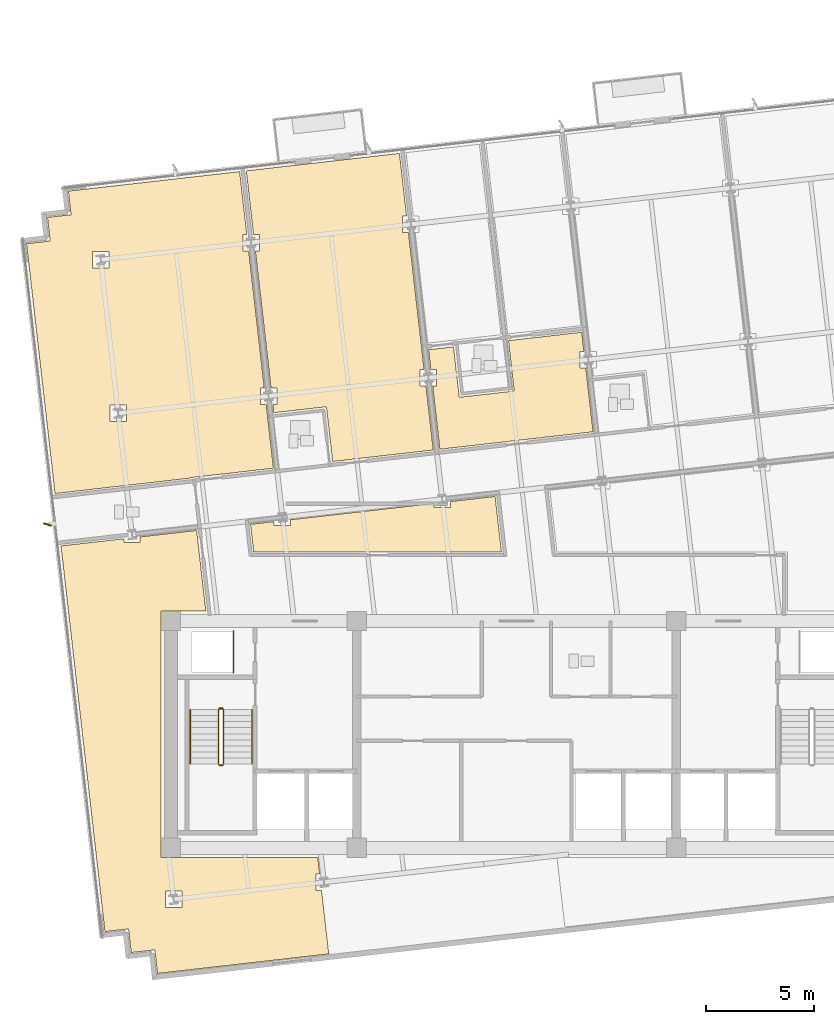
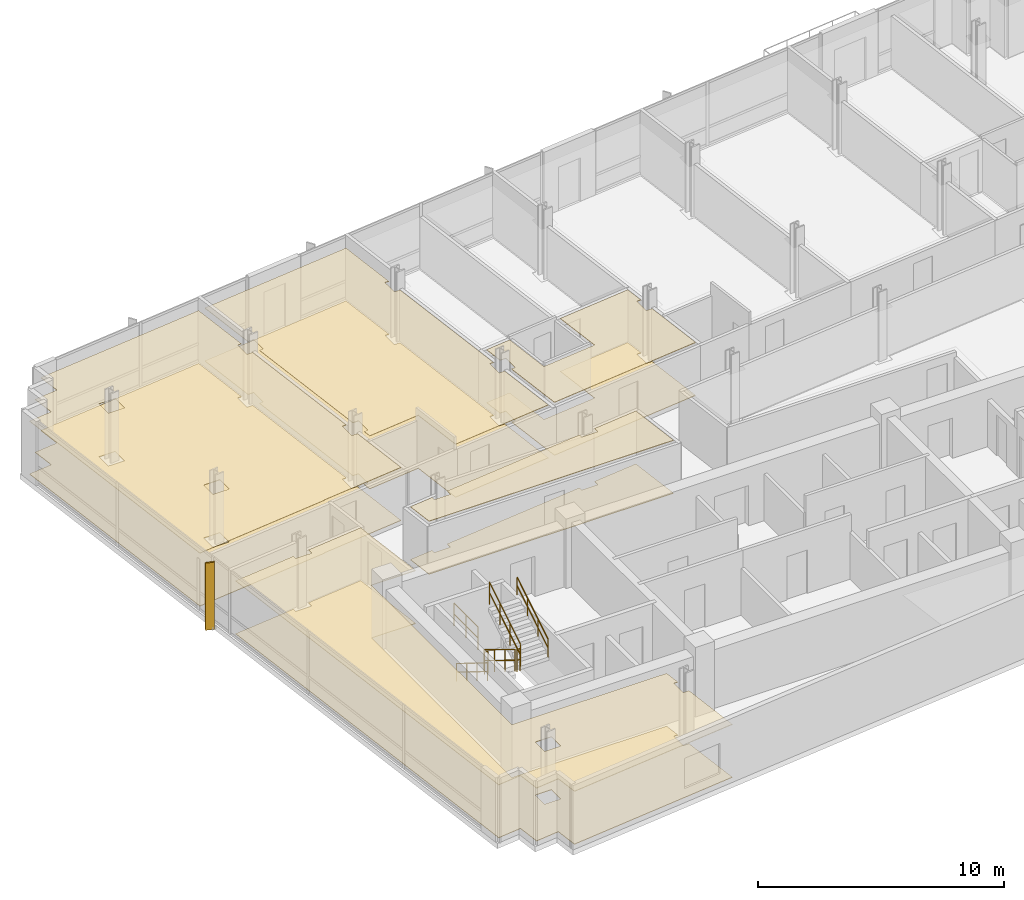
# One storey, part 13 of 16: 10 coverings, 7 railings, 1 shading device.
"""IFC4 building model written with IfcOpenShell, lengths in metres."""

import ifcopenshell
import ifcopenshell.guid

model = None  # the IFC model being written
_history = None  # IfcOwnerHistory: only IFC2X3 demands one
_inside = {}  # id of a spatial element -> (the spatial element, [elements in it])
_under = {}  # id of a project, library or spatial element -> (it, [spatial elements below it])
_declared = {}  # id of a project -> (the project, [libraries it declares])
_typed = {}  # id of a type object -> (the type object, [elements of that type])
_made_of = {}  # id of a material, layer set ... -> (it, [elements and type objects made of it])


def new_model(schema):
    """Start an empty IFC model of exactly this schema.

    Asked for "IFC4X3", IfcOpenShell would pick the latest addendum, in which some entities
    have other attributes; the version numbers below select the first issue.
    IFC2X3 requires an IfcOwnerHistory on every rooted entity: one is made here for all.
    """
    global model, _history
    if schema == "IFC4X3":
        model = ifcopenshell.file(schema_version=(4, 3, 0, 0))
    else:
        model = ifcopenshell.file(schema=schema)
    _inside.clear()
    _under.clear()
    _declared.clear()
    _typed.clear()
    _made_of.clear()
    _history = None
    if model.schema == "IFC2X3":
        org = make("IfcOrganization", Name="unknown")
        user = make(
            "IfcPersonAndOrganization",
            ThePerson=make("IfcPerson", FamilyName="unknown"),
            TheOrganization=org,
        )
        app = make(
            "IfcApplication",
            ApplicationDeveloper=org,
            Version="unknown",
            ApplicationFullName="unknown",
            ApplicationIdentifier="unknown",
        )
        _history = make(
            "IfcOwnerHistory",
            OwningUser=user,
            OwningApplication=app,
            ChangeAction="ADDED",
            CreationDate=0,
        )
    return model


def make(cls, **values):
    """One entity of the class cls with the attributes given. An attribute that is None is left unset."""
    return model.create_entity(
        cls, **{name: value for name, value in values.items() if value is not None}
    )


def rooted(cls, **values):
    """An entity with a GlobalId (a new one), such as an element, a storey or a relation."""
    return make(cls, GlobalId=ifcopenshell.guid.new(), OwnerHistory=_history, **values)


def si_unit(unit_type, name, prefix=None):
    """IfcSIUnit, for example si_unit("LENGTHUNIT", "METRE", prefix="MILLI")."""
    return make("IfcSIUnit", UnitType=unit_type, Prefix=prefix, Name=name)


def assignment(units):
    """IfcUnitAssignment: the units of a project."""
    return None if units is None else make("IfcUnitAssignment", Units=units)


def point(xyz):
    """IfcCartesianPoint."""
    return None if xyz is None else make("IfcCartesianPoint", Coordinates=xyz)


def direction(xyz):
    """IfcDirection."""
    return None if xyz is None else make("IfcDirection", DirectionRatios=xyz)


def frame(location, z_axis=None, x_axis=None):
    """IfcAxis2Placement3D, a coordinate frame: its origin and axes. An axis left out is left unset."""
    return make(
        "IfcAxis2Placement3D",
        Location=point(location),
        Axis=direction(z_axis),
        RefDirection=direction(x_axis),
    )


def frame_2d(location, x_axis=None):
    """IfcAxis2Placement2D, a coordinate frame in the plane: its origin and x axis."""
    return make(
        "IfcAxis2Placement2D", Location=point(location), RefDirection=direction(x_axis)
    )


def origin():
    """The frame at (0, 0, 0) with its axes left unset."""
    return frame((0.0, 0.0, 0.0))


def origin_2d():
    """The frame at (0, 0) in the plane with its x axis left unset."""
    return frame_2d((0.0, 0.0))


def place(relative_to, where):
    """IfcLocalPlacement: puts the frame where relative to a parent placement (None: the world)."""
    return make(
        "IfcLocalPlacement", PlacementRelTo=relative_to, RelativePlacement=where
    )


def context(
    kind, dimensions, precision=None, world=None, true_north=None, identifier=None
):
    """IfcGeometricRepresentationContext, for example the 3D "Model" context."""
    return make(
        "IfcGeometricRepresentationContext",
        ContextIdentifier=identifier,
        ContextType=kind,
        CoordinateSpaceDimension=dimensions,
        Precision=precision,
        WorldCoordinateSystem=world,
        TrueNorth=true_north,
    )


def subcontext(parent, identifier, kind, view, scale=None):
    """IfcGeometricRepresentationSubContext, for example "Body" below "Model"."""
    return make(
        "IfcGeometricRepresentationSubContext",
        ContextIdentifier=identifier,
        ContextType=kind,
        ParentContext=parent,
        TargetScale=scale,
        TargetView=view,
    )


def project(units=None, contexts=None):
    """IfcProject with its units and contexts."""
    return rooted(
        "IfcProject",
        Name="project",
        RepresentationContexts=contexts,
        UnitsInContext=assignment(units),
    )


def spatial(cls, under=None, at=None, **own):
    """A site, building, storey or space (cls), placed at a placement, below another one or the project."""
    s = rooted(cls, ObjectPlacement=at, **own)
    if under is not None:
        _under.setdefault(under.id(), (under, []))[1].append(s)
    return s


def polyline(points):
    """IfcPolyline through the points."""
    return make("IfcPolyline", Points=[point(p) for p in points])


def profile(cls, at=None, kind="AREA", **sizes):
    """A parametric profile (cls). Its sizes go by their IFC names, for example OverallWidth=200.0."""
    return make(cls, ProfileType=kind, Position=at, **sizes)


def rectangle(**sizes):
    """IfcRectangleProfileDef."""
    return profile("IfcRectangleProfileDef", **sizes)


def circle(**sizes):
    """IfcCircleProfileDef."""
    return profile("IfcCircleProfileDef", **sizes)


def outline(outer, holes=None, kind="AREA"):
    """IfcArbitraryClosedProfileDef: a profile drawn as a closed curve; with holes, ...WithVoids."""
    if holes is None:
        return make("IfcArbitraryClosedProfileDef", ProfileType=kind, OuterCurve=outer)
    return make(
        "IfcArbitraryProfileDefWithVoids",
        ProfileType=kind,
        OuterCurve=outer,
        InnerCurves=holes,
    )


def extrude(swept, where, along, depth):
    """IfcExtrudedAreaSolid: the profile swept, set in the frame where, extruded along a direction by depth."""
    return make(
        "IfcExtrudedAreaSolid",
        SweptArea=swept,
        Position=where,
        ExtrudedDirection=direction(along),
        Depth=depth,
    )


def shape(context_of_items, identifier, shape_type, items):
    """IfcShapeRepresentation: the items that make up one representation, for example the "Body"."""
    return make(
        "IfcShapeRepresentation",
        ContextOfItems=context_of_items,
        RepresentationIdentifier=identifier,
        RepresentationType=shape_type,
        Items=items,
    )


def material(Name=None, Category=None):
    """IfcMaterial."""
    return make("IfcMaterial", Name=Name, Category=Category)


def layer(
    of_material, thickness, ventilated=None, Name=None, Category=None, Priority=None
):
    """IfcMaterialLayer: one layer of a wall or slab, of a material (None: an air gap)."""
    return make(
        "IfcMaterialLayer",
        Material=of_material,
        LayerThickness=thickness,
        IsVentilated=ventilated,
        Name=Name,
        Category=Category,
        Priority=Priority,
    )


def layer_set(layers, Name=None):
    """IfcMaterialLayerSet."""
    return make("IfcMaterialLayerSet", MaterialLayers=layers, LayerSetName=Name)


def made_of(thing, what):
    """Note that an element or type object is made of a material, layer set ...; save() writes the relation."""
    if what is not None:
        _made_of.setdefault(what.id(), (what, []))[1].append(thing)
    return thing


def type_object(cls, material=None, **own):
    """A type object (cls), such as IfcWallType, which elements share."""
    return made_of(rooted(cls, **own), material)


def element(
    cls,
    number,
    at=None,
    inside=None,
    cuts=None,
    type_object=None,
    material=None,
    context=None,
    identifier="Body",
    shape_type=None,
    held_by="IfcProductDefinitionShape",
    body=None,
    shapes=None,
    **own,
):
    """One element of the class cls, such as IfcWall. Its Tag is "e" and its number.

    at: its placement. inside: the storey or other place that contains it. cuts: it is an
    opening in that element (IfcRelVoidsElement). A single representation is given by context,
    identifier, shape_type and body (its items); several are given by shapes. held_by: the class
    of the entity that holds the representations. save() writes the other relations.
    """
    e = rooted(cls, Tag="e%d" % number, ObjectPlacement=at, **own)
    if body is not None:
        shapes = [shape(context, identifier, shape_type, body)]
    if shapes is not None:
        e.Representation = make(held_by, Representations=shapes)
    if inside is not None:
        _inside.setdefault(inside.id(), (inside, []))[1].append(e)
    if cuts is not None:
        rooted(
            "IfcRelVoidsElement", RelatingBuildingElement=cuts, RelatedOpeningElement=e
        )
    if type_object is not None:
        _typed.setdefault(type_object.id(), (type_object, []))[1].append(e)
    return made_of(e, material)


def aggregate(whole, parts):
    """IfcRelAggregates: a whole, such as a stair, and the parts it consists of."""
    return rooted("IfcRelAggregates", RelatingObject=whole, RelatedObjects=parts)


def save(model, path):
    """Write the relations noted so far, then the file.

    IfcRelAggregates (storeys below a building ...), IfcRelContainedInSpatialStructure (elements
    in a storey), IfcRelDefinesByType, IfcRelAssociatesMaterial and IfcRelDeclares: one each for
    every whole, place, type object, material and project.
    """
    for whole, parts in _under.values():
        aggregate(whole, parts)
    for where, things in _inside.values():
        rooted(
            "IfcRelContainedInSpatialStructure",
            RelatedElements=things,
            RelatingStructure=where,
        )
    for kind, things in _typed.values():
        rooted("IfcRelDefinesByType", RelatedObjects=things, RelatingType=kind)
    for what, things in _made_of.values():
        rooted("IfcRelAssociatesMaterial", RelatedObjects=things, RelatingMaterial=what)
    for by, libraries in _declared.values():
        rooted("IfcRelDeclares", RelatingContext=by, RelatedDefinitions=libraries)
    model.write(path)


model = new_model("IFC4")

# Units and contexts
model_context = context("Model", 3, precision=1e-05, world=origin(), true_north=direction((0.0, 1.0)))
body_context = subcontext(model_context, "Body", "Model", "MODEL_VIEW")
ifc_project = project(units=[si_unit("LENGTHUNIT", "METRE"), si_unit("AREAUNIT", "SQUARE_METRE"), si_unit("VOLUMEUNIT", "CUBIC_METRE"), si_unit("PLANEANGLEUNIT", "RADIAN"), si_unit("MASSUNIT", "GRAM", prefix="KILO")], contexts=[model_context])

# Site, building, storey
site_placement = place(None, origin())
site = spatial("IfcSite", under=ifc_project, at=site_placement, CompositionType="ELEMENT")
building_placement = place(site_placement, origin())
building = spatial("IfcBuilding", under=site, at=building_placement, Name="Solmavex Isthmus Hotel", CompositionType="ELEMENT")
storey_placement = place(building_placement, frame((0.0, 0.0, 215.85009765625)))
storey = spatial("IfcBuildingStorey", under=building, at=storey_placement, Name="L58", CompositionType="ELEMENT", Elevation=215.85009765625)

# Coverings
ifc_material_1 = material(Name="Gypsum plasterboard lining", Category="gypsum")
ifc_layer_1 = layer(ifc_material_1, 0.030029296875)
ifc_layer_set_1 = layer_set([ifc_layer_1], Name="Gypsum plasterboard lining")
covering_type_1 = type_object("IfcCoveringType", Name="COV-CEIL-GYP", PredefinedType="CEILING", material=ifc_layer_set_1)
covering_1_placement = place(storey_placement, frame((0.0, 0.0, 2.619873046875)))
element("IfcCovering", 1, at=covering_1_placement, inside=storey, type_object=covering_type_1, Name="Suspended Acoustic Ceiling L58-RM01", PredefinedType="CEILING", context=body_context, shape_type="SweptSolid", body=[
    extrude(outline(polyline([(-15.079833984375, 4.11669921875), (-15.08203125, 4.136474609375), (-11.2490234375, 4.5732421875), (-11.586181640625, 7.532470703125), (-11.853271484375, 7.532470703125), (-11.853271484375, 8.29248046875), (-11.672607421875, 8.29248046875), (-12.395751953125, 14.638427734375), (-12.6630859375, 14.638427734375), (-12.6630859375, 15.3984375), (-12.482421875, 15.3984375), (-12.8134765625, 18.304443359375), (-19.92041015625, 17.49462890625), (-20.740234375, 17.4013671875), (-20.615478515625, 16.308349609375), (-21.70849609375, 16.183837890625), (-21.583984375, 15.091064453125), (-22.677001953125, 14.966552734375), (-22.58349609375, 14.146728515625), (-21.359130859375, 3.4013671875), (-15.079833984375, 4.11669921875)]), holes=[polyline([(-18.81640625, 6.739013671875), (-18.81640625, 7.4990234375), (-18.056396484375, 7.4990234375), (-18.056396484375, 6.739013671875), (-18.81640625, 6.739013671875)]), polyline([(-19.6259765625, 13.844970703125), (-19.6259765625, 14.60498046875), (-18.865966796875, 14.60498046875), (-18.865966796875, 13.844970703125), (-19.6259765625, 13.844970703125)])]), origin(), (0.0, 0.0, 1.0), 0.030029296875),
])
covering_2_placement = place(storey_placement, frame((0.0, 0.0, 2.619873046875)))
element("IfcCovering", 2, at=covering_2_placement, inside=storey, type_object=covering_type_1, Name="Suspended Acoustic Ceiling L58-RM02", PredefinedType="CEILING", context=body_context, shape_type="SweptSolid", body=[
    extrude(outline(polyline([(-11.360595703125, 8.29248046875), (-11.09326171875, 8.29248046875), (-11.09326171875, 7.532470703125), (-11.274169921875, 7.532470703125), (-11.2294921875, 7.14208984375), (-8.79541015625, 7.41943359375), (-8.506591796875, 4.8857421875), (-3.850830078125, 5.416259765625), (-4.18798828125, 8.375244140625), (-4.455322265625, 8.375244140625), (-4.455322265625, 9.13525390625), (-4.2744140625, 9.13525390625), (-4.99755859375, 15.481201171875), (-5.264892578125, 15.481201171875), (-5.264892578125, 16.2412109375), (-5.084228515625, 16.2412109375), (-5.415283203125, 19.1474609375), (-12.50537109375, 18.339599609375), (-12.17041015625, 15.3984375), (-11.903076171875, 15.3984375), (-11.903076171875, 14.638427734375), (-12.083740234375, 14.638427734375), (-11.763916015625, 11.832275390625), (-11.360595703125, 8.29248046875)])), origin(), (0.0, 0.0, 1.0), 0.030029296875),
])
covering_3_placement = place(storey_placement, frame((0.0, 0.0, 2.619873046875)))
element("IfcCovering", 3, at=covering_3_placement, inside=storey, type_object=covering_type_1, Name="Suspended Acoustic Ceiling L58-SH03-LV", PredefinedType="CEILING", context=body_context, shape_type="SweptSolid", body=[
    extrude(outline(polyline([(-2.912353515625, 10.191162109375), (-4.06787109375, 10.0595703125), (-3.962646484375, 9.13525390625), (-3.6953125, 9.13525390625), (-3.6953125, 8.375244140625), (-3.8759765625, 8.375244140625), (-3.542724609375, 5.451416015625), (3.54736328125, 6.259033203125), (3.210205078125, 9.21826171875), (2.94287109375, 9.21826171875), (2.94287109375, 9.978271484375), (3.12353515625, 9.978271484375), (3.022216796875, 10.867431640625), (-0.36865234375, 10.48095703125), (-0.102783203125, 8.14599609375), (-2.646240234375, 7.856201171875), (-2.912353515625, 10.191162109375)])), origin(), (0.0, 0.0, 1.0), 0.030029296875),
])
covering_4_placement = place(storey_placement, frame((0.0, 0.0, 2.619873046875)))
element("IfcCovering", 4, at=covering_4_placement, inside=storey, type_object=covering_type_1, Name="Suspended Acoustic Ceiling L58-FL09", PredefinedType="CEILING", context=body_context, shape_type="SweptSolid", body=[
    extrude(outline(polyline([(-10.4541015625, 2.18798828125), (-10.4541015625, 1.920654296875), (-11.214111328125, 1.920654296875), (-11.214111328125, 2.101318359375), (-12.309814453125, 1.9765625), (-12.1650390625, 0.705078125), (-0.694091796875, 0.705078125), (-0.986083984375, 3.2666015625), (-3.055908203125, 3.03076171875), (-3.055908203125, 2.763671875), (-3.81591796875, 2.763671875), (-3.81591796875, 2.9443359375), (-10.4541015625, 2.18798828125)])), origin(), (0.0, 0.0, 1.0), 0.030029296875),
])
covering_5_placement = place(storey_placement, frame((0.0, 0.0, 2.619873046875)))
element("IfcCovering", 5, at=covering_5_placement, inside=storey, type_object=covering_type_1, Name="Suspended Acoustic Ceiling L58-FL11", PredefinedType="CEILING", context=body_context, shape_type="SweptSolid", body=[
    extrude(outline(polyline([(-17.4169921875, 1.39453125), (-17.4169921875, 1.12744140625), (-18.177001953125, 1.12744140625), (-18.177001953125, 1.30810546875), (-21.0830078125, 0.97705078125), (-20.50048828125, -4.135009765625), (-19.91748046875, -9.251953125), (-19.14208984375, -16.057861328125), (-19.096923828125, -16.455322265625), (-19.048828125, -16.87744140625), (-17.955810546875, -16.7529296875), (-17.831298828125, -17.845947265625), (-16.73828125, -17.721435546875), (-16.61376953125, -18.814453125), (-15.794189453125, -18.720947265625), (-8.687255859375, -17.9111328125), (-8.984375, -15.302978515625), (-9.022216796875, -14.969970703125), (-9.28955078125, -14.969970703125), (-9.28955078125, -14.2099609375), (-9.10888671875, -14.2099609375), (-9.19482421875, -13.455078125), (-16.455078125, -13.455078125), (-16.455078125, -2.044921875), (-14.3779296875, -2.044921875), (-14.8037109375, 1.6923828125), (-17.4169921875, 1.39453125)]), holes=[polyline([(-16.25244140625, -15.763427734375), (-16.25244140625, -15.00341796875), (-15.492431640625, -15.00341796875), (-15.492431640625, -15.763427734375), (-16.25244140625, -15.763427734375)])]), origin(), (0.0, 0.0, 1.0), 0.030029296875),
])
ifc_material_2 = material(Name="Travertine natural stone", Category="masonry")
ifc_layer_2 = layer(ifc_material_2, 0.02490234375)
ifc_layer_set_2 = layer_set([ifc_layer_2], Name="Travertine natural stone")
covering_type_2 = type_object("IfcCoveringType", Name="COV-FLOR-STN", PredefinedType="FLOORING", material=ifc_layer_set_2)
covering_6_placement = place(storey_placement, origin())
element("IfcCovering", 6, at=covering_6_placement, inside=storey, type_object=covering_type_2, Name="Stone and Timber Floor Finish L58-RM01", PredefinedType="FLOORING", context=body_context, shape_type="SweptSolid", body=[
    extrude(outline(polyline([(-15.079833984375, 4.11669921875), (-15.08203125, 4.136474609375), (-11.2490234375, 4.5732421875), (-11.586181640625, 7.532470703125), (-11.853271484375, 7.532470703125), (-11.853271484375, 8.29248046875), (-11.672607421875, 8.29248046875), (-12.395751953125, 14.638427734375), (-12.6630859375, 14.638427734375), (-12.6630859375, 15.3984375), (-12.482421875, 15.3984375), (-12.8134765625, 18.304443359375), (-19.92041015625, 17.49462890625), (-20.740234375, 17.4013671875), (-20.615478515625, 16.308349609375), (-21.70849609375, 16.183837890625), (-21.583984375, 15.091064453125), (-22.677001953125, 14.966552734375), (-22.58349609375, 14.146728515625), (-21.359130859375, 3.4013671875), (-15.079833984375, 4.11669921875)]), holes=[polyline([(-18.81640625, 6.739013671875), (-18.81640625, 7.4990234375), (-18.056396484375, 7.4990234375), (-18.056396484375, 6.739013671875), (-18.81640625, 6.739013671875)]), polyline([(-19.6259765625, 13.844970703125), (-19.6259765625, 14.60498046875), (-18.865966796875, 14.60498046875), (-18.865966796875, 13.844970703125), (-19.6259765625, 13.844970703125)])]), origin(), (0.0, 0.0, 1.0), 0.02490234375),
])
covering_7_placement = place(storey_placement, origin())
element("IfcCovering", 7, at=covering_7_placement, inside=storey, type_object=covering_type_2, Name="Stone and Timber Floor Finish L58-RM02", PredefinedType="FLOORING", context=body_context, shape_type="SweptSolid", body=[
    extrude(outline(polyline([(-11.360595703125, 8.29248046875), (-11.09326171875, 8.29248046875), (-11.09326171875, 7.532470703125), (-11.274169921875, 7.532470703125), (-11.2294921875, 7.14208984375), (-8.79541015625, 7.41943359375), (-8.506591796875, 4.8857421875), (-3.850830078125, 5.416259765625), (-4.18798828125, 8.375244140625), (-4.455322265625, 8.375244140625), (-4.455322265625, 9.13525390625), (-4.2744140625, 9.13525390625), (-4.99755859375, 15.481201171875), (-5.264892578125, 15.481201171875), (-5.264892578125, 16.2412109375), (-5.084228515625, 16.2412109375), (-5.415283203125, 19.1474609375), (-12.50537109375, 18.339599609375), (-12.17041015625, 15.3984375), (-11.903076171875, 15.3984375), (-11.903076171875, 14.638427734375), (-12.083740234375, 14.638427734375), (-11.763916015625, 11.832275390625), (-11.360595703125, 8.29248046875)])), origin(), (0.0, 0.0, 1.0), 0.02490234375),
])
covering_8_placement = place(storey_placement, origin())
element("IfcCovering", 8, at=covering_8_placement, inside=storey, type_object=covering_type_2, Name="Stone and Timber Floor Finish L58-SH03-LV", PredefinedType="FLOORING", context=body_context, shape_type="SweptSolid", body=[
    extrude(outline(polyline([(-2.912353515625, 10.191162109375), (-4.06787109375, 10.0595703125), (-3.962646484375, 9.13525390625), (-3.6953125, 9.13525390625), (-3.6953125, 8.375244140625), (-3.8759765625, 8.375244140625), (-3.542724609375, 5.451416015625), (3.54736328125, 6.259033203125), (3.210205078125, 9.21826171875), (2.94287109375, 9.21826171875), (2.94287109375, 9.978271484375), (3.12353515625, 9.978271484375), (3.022216796875, 10.867431640625), (-0.36865234375, 10.48095703125), (-0.102783203125, 8.14599609375), (-2.646240234375, 7.856201171875), (-2.912353515625, 10.191162109375)])), origin(), (0.0, 0.0, 1.0), 0.02490234375),
])
covering_9_placement = place(storey_placement, origin())
element("IfcCovering", 9, at=covering_9_placement, inside=storey, type_object=covering_type_2, Name="Stone and Timber Floor Finish L58-FL09", PredefinedType="FLOORING", context=body_context, shape_type="SweptSolid", body=[
    extrude(outline(polyline([(-10.4541015625, 2.18798828125), (-10.4541015625, 1.920654296875), (-11.214111328125, 1.920654296875), (-11.214111328125, 2.101318359375), (-12.309814453125, 1.9765625), (-12.1650390625, 0.705078125), (-0.694091796875, 0.705078125), (-0.986083984375, 3.2666015625), (-3.055908203125, 3.03076171875), (-3.055908203125, 2.763671875), (-3.81591796875, 2.763671875), (-3.81591796875, 2.9443359375), (-10.4541015625, 2.18798828125)])), origin(), (0.0, 0.0, 1.0), 0.02490234375),
])
covering_10_placement = place(storey_placement, origin())
element("IfcCovering", 10, at=covering_10_placement, inside=storey, type_object=covering_type_2, Name="Stone and Timber Floor Finish L58-FL11", PredefinedType="FLOORING", context=body_context, shape_type="SweptSolid", body=[
    extrude(outline(polyline([(-17.4169921875, 1.39453125), (-17.4169921875, 1.12744140625), (-18.177001953125, 1.12744140625), (-18.177001953125, 1.30810546875), (-21.0830078125, 0.97705078125), (-20.50048828125, -4.135009765625), (-19.91748046875, -9.251953125), (-19.14208984375, -16.057861328125), (-19.096923828125, -16.455322265625), (-19.048828125, -16.87744140625), (-17.955810546875, -16.7529296875), (-17.831298828125, -17.845947265625), (-16.73828125, -17.721435546875), (-16.61376953125, -18.814453125), (-15.794189453125, -18.720947265625), (-8.687255859375, -17.9111328125), (-8.984375, -15.302978515625), (-9.022216796875, -14.969970703125), (-9.28955078125, -14.969970703125), (-9.28955078125, -14.2099609375), (-9.10888671875, -14.2099609375), (-9.19482421875, -13.455078125), (-16.455078125, -13.455078125), (-16.455078125, -2.044921875), (-14.3779296875, -2.044921875), (-14.8037109375, 1.6923828125), (-17.4169921875, 1.39453125)]), holes=[polyline([(-16.25244140625, -15.763427734375), (-16.25244140625, -15.00341796875), (-15.492431640625, -15.00341796875), (-15.492431640625, -15.763427734375), (-16.25244140625, -15.763427734375)])]), origin(), (0.0, 0.0, 1.0), 0.02490234375),
])

# Railings
ifc_material_3 = material(Name="Clear low-E laminated glass", Category="glass")
ifc_layer_3 = layer(ifc_material_3, 0.080078125)
ifc_layer_set_3 = layer_set([ifc_layer_3], Name="Clear low-E laminated glass")
railing_type_1 = type_object("IfcRailingType", Name="RAIL-ATRIUM-1120", PredefinedType="BALUSTRADE", material=ifc_layer_set_3)
railing_1_placement = place(storey_placement, frame((-13.10009765625, -4.89990234375, 0.0)))
element("IfcRailing", 11, at=railing_1_placement, inside=storey, type_object=railing_type_1, Name="Guardrail Balustrade L58-RSW-01", PredefinedType="BALUSTRADE", context=body_context, shape_type="SweptSolid", body=[
    extrude(circle(Radius=0.02392578125, at=origin_2d()), frame((0.0, 0.0, 1.1259765625), z_axis=(0.0, 1.0, 0.0), x_axis=(-1.0, 0.0, 0.0)), (0.0, 0.0, 1.0), 1.949951171875),
    extrude(circle(Radius=0.02392578125, at=origin_2d()), frame((0.0, 0.0, 0.574951171875), z_axis=(0.0, 1.0, 0.0), x_axis=(-1.0, 0.0, 0.0)), (0.0, 0.0, 1.0), 1.949951171875),
    extrude(circle(Radius=0.02099609375, at=origin_2d()), origin(), (0.0, 0.0, 1.0), 1.101806640625),
    extrude(circle(Radius=0.02099609375, at=origin_2d()), frame((0.0, 0.97509765625, 0.0)), (0.0, 0.0, 1.0), 1.101806640625),
    extrude(circle(Radius=0.02099609375, at=origin_2d()), frame((0.0, 1.949951171875, 0.0)), (0.0, 0.0, 1.0), 1.101806640625),
])
ifc_material_4 = material(Name="Stainless steel 316", Category="steel")
ifc_layer_4 = layer(ifc_material_4, 0.06005859375)
ifc_layer_set_4 = layer_set([ifc_layer_4], Name="Stainless steel 316")
railing_type_2 = type_object("IfcRailingType", Name="RAIL-STAIR-GD", PredefinedType="GUARDRAIL", material=ifc_layer_set_4)
railing_2_placement = place(storey_placement, frame((-13.800048828125, -6.60009765625, 0.17236328125)))
element("IfcRailing", 12, at=railing_2_placement, inside=storey, type_object=railing_type_2, Name="L58 ST-1 stair guard 1", PredefinedType="GUARDRAIL", context=body_context, shape_type="SweptSolid", body=[
    extrude(circle(Radius=0.02392578125, at=origin_2d()), frame((0.0, 0.0, 1.09619140625), z_axis=(0.0, -0.851400495292, 0.524516154772), x_axis=(1.0, 0.0, 0.0)), (0.0, 0.0, 1.0), 2.9599609375),
    extrude(circle(Radius=0.02392578125, at=origin_2d()), frame((0.0, 0.0, 0.56005859375), z_axis=(0.0, -0.851400495292, 0.524516154772), x_axis=(1.0, 0.0, 0.0)), (0.0, 0.0, 1.0), 2.9599609375),
    extrude(circle(Radius=0.02099609375, at=origin_2d()), origin(), (0.0, 0.0, 1.0), 1.072021484375),
    extrude(circle(Radius=0.02099609375, at=origin_2d()), frame((0.0, -0.840087890625, 0.517578125)), (0.0, 0.0, 1.0), 1.072021484375),
    extrude(circle(Radius=0.02099609375, at=origin_2d()), frame((0.0, -1.679931640625, 1.034912109375)), (0.0, 0.0, 1.0), 1.072021484375),
    extrude(circle(Radius=0.02099609375, at=origin_2d()), frame((0.0, -2.52001953125, 1.552490234375)), (0.0, 0.0, 1.0), 1.072021484375),
])
railing_3_placement = place(storey_placement, frame((-13.75, -9.169921875, 1.724853515625)))
element("IfcRailing", 13, at=railing_3_placement, inside=storey, type_object=railing_type_2, Name="L58 ST-1 stair guard 2", PredefinedType="GUARDRAIL", context=body_context, shape_type="SweptSolid", body=[
    extrude(circle(Radius=0.02392578125, at=origin_2d()), frame((0.0, 0.0, 1.09619140625), z_axis=(1.0, 0.0, 0.0), x_axis=(0.0, 1.0, 0.0)), (0.0, 0.0, 1.0), 0.14990234375),
    extrude(circle(Radius=0.02392578125, at=origin_2d()), frame((0.0, 0.0, 0.56005859375), z_axis=(1.0, 0.0, 0.0), x_axis=(0.0, 1.0, 0.0)), (0.0, 0.0, 1.0), 0.14990234375),
    extrude(circle(Radius=0.02099609375, at=origin_2d()), origin(), (0.0, 0.0, 1.0), 1.072021484375),
    extrude(circle(Radius=0.02099609375, at=origin_2d()), frame((0.14990234375, 0.0, 0.0)), (0.0, 0.0, 1.0), 1.072021484375),
])
railing_4_placement = place(storey_placement, frame((-13.550048828125, -9.1201171875, 1.8974609375)))
element("IfcRailing", 14, at=railing_4_placement, inside=storey, type_object=railing_type_2, Name="L58 ST-1 stair guard 3", PredefinedType="GUARDRAIL", context=body_context, shape_type="SweptSolid", body=[
    extrude(circle(Radius=0.02392578125, at=origin_2d()), frame((0.0, 0.0, 1.09619140625), z_axis=(0.0, 0.851400495292, 0.524516154772), x_axis=(-1.0, 0.0, 0.0)), (0.0, 0.0, 1.0), 2.9599609375),
    extrude(circle(Radius=0.02392578125, at=origin_2d()), frame((0.0, 0.0, 0.56005859375), z_axis=(0.0, 0.851400495292, 0.524516154772), x_axis=(-1.0, 0.0, 0.0)), (0.0, 0.0, 1.0), 2.9599609375),
    extrude(circle(Radius=0.02099609375, at=origin_2d()), origin(), (0.0, 0.0, 1.0), 1.072021484375),
    extrude(circle(Radius=0.02099609375, at=origin_2d()), frame((0.0, 0.840087890625, 0.517578125)), (0.0, 0.0, 1.0), 1.072021484375),
    extrude(circle(Radius=0.02099609375, at=origin_2d()), frame((0.0, 1.679931640625, 1.034912109375)), (0.0, 0.0, 1.0), 1.072021484375),
    extrude(circle(Radius=0.02099609375, at=origin_2d()), frame((0.0, 2.52001953125, 1.552490234375)), (0.0, 0.0, 1.0), 1.072021484375),
])
railing_5_placement = place(storey_placement, frame((-13.75, -6.550048828125, 0.0)))
element("IfcRailing", 15, at=railing_5_placement, inside=storey, type_object=railing_type_2, Name="L58 ST-1 stair guard 4", PredefinedType="GUARDRAIL", context=body_context, shape_type="SweptSolid", body=[
    extrude(circle(Radius=0.02392578125, at=origin_2d()), frame((0.0, 0.0, 1.09619140625), z_axis=(1.0, 0.0, 0.0), x_axis=(0.0, 1.0, 0.0)), (0.0, 0.0, 1.0), 0.14990234375),
    extrude(circle(Radius=0.02392578125, at=origin_2d()), frame((0.0, 0.0, 0.56005859375), z_axis=(1.0, 0.0, 0.0), x_axis=(0.0, 1.0, 0.0)), (0.0, 0.0, 1.0), 0.14990234375),
    extrude(circle(Radius=0.02099609375, at=origin_2d()), origin(), (0.0, 0.0, 1.0), 1.072021484375),
    extrude(circle(Radius=0.02099609375, at=origin_2d()), frame((0.14990234375, 0.0, 0.0)), (0.0, 0.0, 1.0), 1.072021484375),
])
ifc_layer_5 = layer(ifc_material_4, 0.050048828125)
ifc_layer_set_5 = layer_set([ifc_layer_5], Name="Stainless steel 316")
railing_type_3 = type_object("IfcRailingType", Name="RAIL-STAIR-HR", PredefinedType="HANDRAIL", material=ifc_layer_set_5)
railing_6_placement = place(storey_placement, frame((-15.10009765625, -6.60009765625, 0.17236328125)))
element("IfcRailing", 16, at=railing_6_placement, inside=storey, type_object=railing_type_3, Name="L58 ST-1 stair handrail 1", PredefinedType="HANDRAIL", context=body_context, shape_type="SweptSolid", body=[
    extrude(circle(Radius=0.02392578125, at=origin_2d()), frame((0.0, 0.0, 0.8759765625), z_axis=(0.0, -0.851400495292, 0.524516154772), x_axis=(1.0, 0.0, 0.0)), (0.0, 0.0, 1.0), 2.9599609375),
    extrude(circle(Radius=0.02392578125, at=origin_2d()), frame((0.0, 0.0, 0.449951171875), z_axis=(0.0, -0.851400495292, 0.524516154772), x_axis=(1.0, 0.0, 0.0)), (0.0, 0.0, 1.0), 2.9599609375),
    extrude(circle(Radius=0.02099609375, at=origin_2d()), origin(), (0.0, 0.0, 1.0), 0.851806640625),
    extrude(circle(Radius=0.02099609375, at=origin_2d()), frame((0.0, -0.840087890625, 0.517578125)), (0.0, 0.0, 1.0), 0.851806640625),
    extrude(circle(Radius=0.02099609375, at=origin_2d()), frame((0.0, -1.679931640625, 1.034912109375)), (0.0, 0.0, 1.0), 0.851806640625),
    extrude(circle(Radius=0.02099609375, at=origin_2d()), frame((0.0, -2.52001953125, 1.552490234375)), (0.0, 0.0, 1.0), 0.851806640625),
])
railing_7_placement = place(storey_placement, frame((-12.25, -9.1201171875, 1.8974609375)))
element("IfcRailing", 17, at=railing_7_placement, inside=storey, type_object=railing_type_3, Name="L58 ST-1 stair handrail 2", PredefinedType="HANDRAIL", context=body_context, shape_type="SweptSolid", body=[
    extrude(circle(Radius=0.02392578125, at=origin_2d()), frame((0.0, 0.0, 0.8759765625), z_axis=(0.0, 0.851400495292, 0.524516154772), x_axis=(-1.0, 0.0, 0.0)), (0.0, 0.0, 1.0), 2.9599609375),
    extrude(circle(Radius=0.02392578125, at=origin_2d()), frame((0.0, 0.0, 0.449951171875), z_axis=(0.0, 0.851400495292, 0.524516154772), x_axis=(-1.0, 0.0, 0.0)), (0.0, 0.0, 1.0), 2.9599609375),
    extrude(circle(Radius=0.02099609375, at=origin_2d()), origin(), (0.0, 0.0, 1.0), 0.851806640625),
    extrude(circle(Radius=0.02099609375, at=origin_2d()), frame((0.0, 0.840087890625, 0.517578125)), (0.0, 0.0, 1.0), 0.851806640625),
    extrude(circle(Radius=0.02099609375, at=origin_2d()), frame((0.0, 1.679931640625, 1.034912109375)), (0.0, 0.0, 1.0), 0.851806640625),
    extrude(circle(Radius=0.02099609375, at=origin_2d()), frame((0.0, 2.52001953125, 1.552490234375)), (0.0, 0.0, 1.0), 0.851806640625),
])

# Shading device
ifc_material_5 = material(Name="Aluminium alloy 6063-T6", Category="aluminium")
shading_device_type = type_object("IfcShadingDeviceType", Name="SHD-FIN-CHAMP", PredefinedType="USERDEFINED", material=ifc_material_5)
shading_device_placement = place(storey_placement, frame((-21.714111328125, 1.966796875, -0.14013671875), z_axis=(0.0, 0.0, 1.0), x_axis=(-0.953716950748, 0.300705799504, 0.0)))
element("IfcShadingDevice", 18, at=shading_device_placement, inside=storey, type_object=shading_device_type, Name="Anodised Aluminium Solar Fin L58-W1", ObjectType="SOLAR_FIN", PredefinedType="USERDEFINED", context=body_context, shape_type="SweptSolid", body=[
    extrude(rectangle(XDim=0.3798828125, YDim=0.070068359375, at=origin_2d()), origin(), (0.0, 0.0, 1.0), 3.330078125),
])

save(model, "model.ifc")
